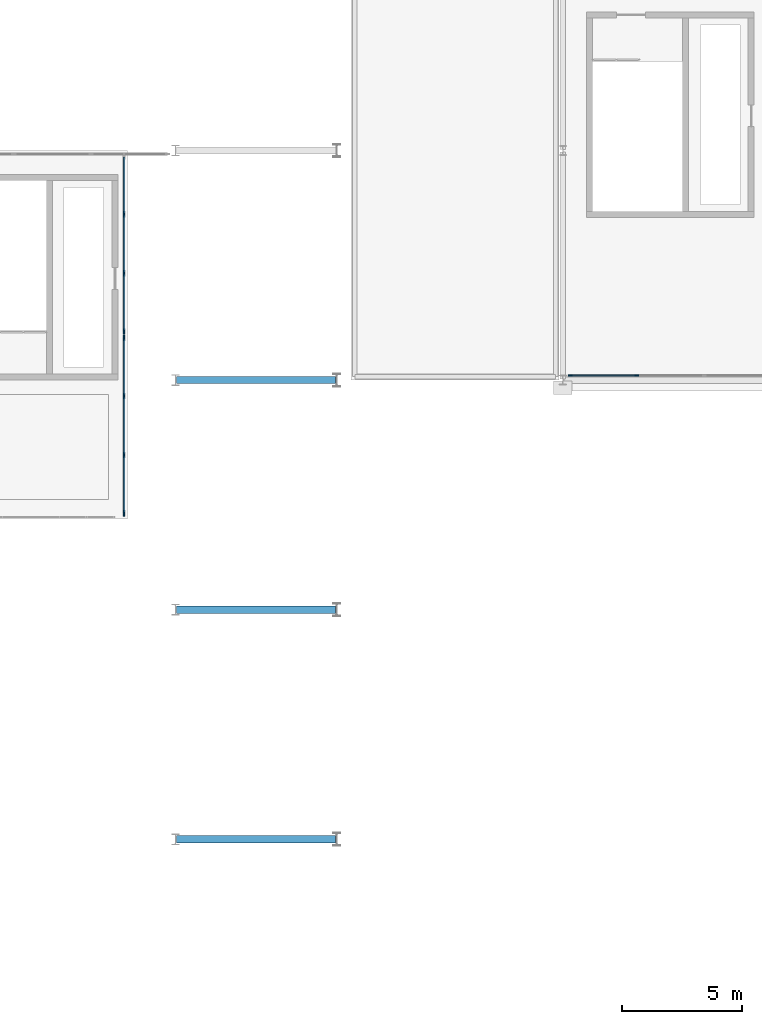
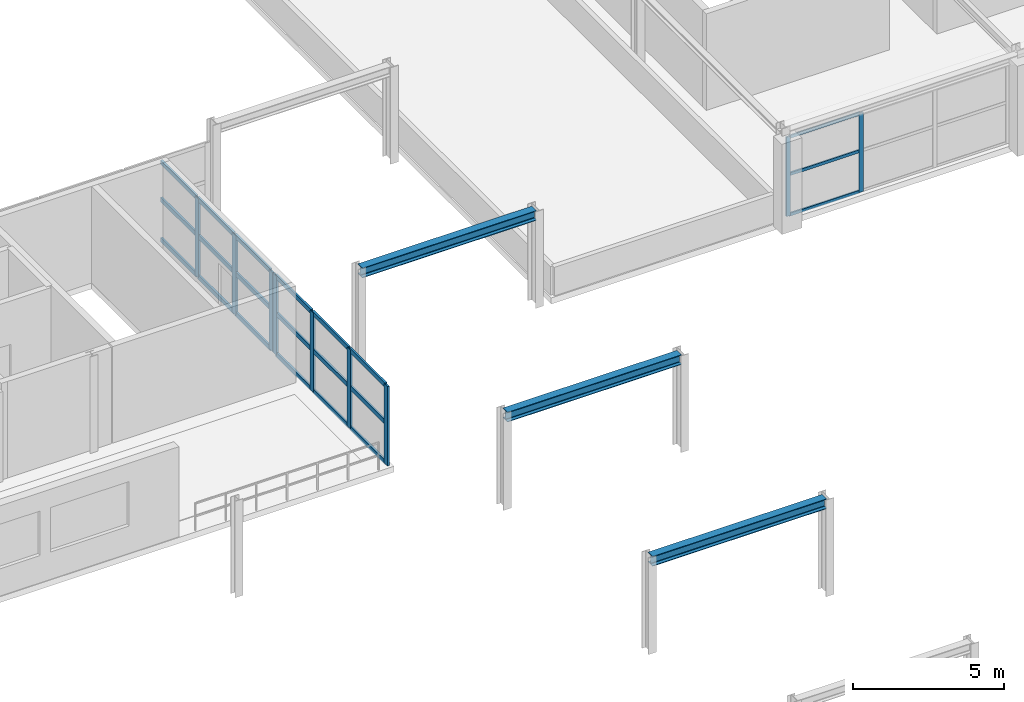
# One storey, part 21 of 52: 30 members, 3 beams, 3 elements without a shape of their own.
"""IFC4 building model written with IfcOpenShell, lengths in metres."""

from ifc_helpers import new_model, si_unit, direction, frame, origin, origin_2d, place, context, subcontext, project, spatial, rectangle, i_section, extrude, material, layer, layer_set, material_profile, profile_set, type_object, element, aggregate, save


model = new_model("IFC4")

# Units and contexts
model_context = context("Model", 3, precision=1e-05, world=origin(), true_north=direction((0.0, 1.0)))
body_context = subcontext(model_context, "Body", "Model", "MODEL_VIEW")
ifc_project = project(units=[si_unit("LENGTHUNIT", "METRE"), si_unit("AREAUNIT", "SQUARE_METRE"), si_unit("VOLUMEUNIT", "CUBIC_METRE"), si_unit("PLANEANGLEUNIT", "RADIAN"), si_unit("MASSUNIT", "GRAM", prefix="KILO")], contexts=[model_context])

# Site, building, storey
site_placement = place(None, origin())
site = spatial("IfcSite", under=ifc_project, at=site_placement, CompositionType="ELEMENT")
building_placement = place(site_placement, origin())
building = spatial("IfcBuilding", under=site, at=building_placement, Name="Myrtia Square Station", CompositionType="ELEMENT")
storey_placement = place(building_placement, frame((0.0, 0.0, 15.0)))
storey = spatial("IfcBuildingStorey", under=building, at=storey_placement, Name="L03", CompositionType="ELEMENT", Elevation=15.0)

# Beams
ifc_material_1 = material(Name="Steel S355", Category="steel")
ifc_material_profile_1 = material_profile(ifc_material_1, i_section(OverallWidth=0.300048828125, OverallDepth=0.39990234375, WebThickness=0.013427734375, FlangeThickness=0.02392578125, FilletRadius=0.027099609375, at=origin_2d()), Name="HEB 400")
ifc_profile_set_1 = profile_set([ifc_material_profile_1], Name="Steel S355")
beam_type = type_object("IfcBeamType", Name="BM-HEB400", PredefinedType="BEAM", material=ifc_profile_set_1)
for number, where, z_axis, x_axis, name in (
    (1, (109.85009765625, 67.199951171875, 3.64990234375), (1.0, 0.0, 0.0), (0.0, 1.0, 0.0), "Colonnade overhang tie beam 016"),
    (2, (109.85009765625, 76.800048828125, 3.64990234375), (1.0, 0.0, 0.0), (0.0, 1.0, 0.0), "Colonnade overhang tie beam 020"),
    (3, (109.85009765625, 86.39990234375, 3.64990234375), (1.0, 0.0, 0.0), (0.0, 1.0, 0.0), "Colonnade overhang tie beam 024"),
):
    element("IfcBeam", number, at=place(storey_placement, frame(where, z_axis=z_axis, x_axis=x_axis)), inside=storey, type_object=beam_type, Name=name, PredefinedType="BEAM", context=body_context, shape_type="SweptSolid", body=[
        extrude(i_section(OverallWidth=0.300048828125, OverallDepth=0.39990234375, WebThickness=0.013427734375, FlangeThickness=0.02392578125, FilletRadius=0.027099609375, at=origin_2d()), origin(), (0.0, 0.0, 1.0), 6.64990234375),
    ])

# Curtain wall, members
ifc_material_2 = material(Name="Dark bronze anodised aluminium", Category="aluminium")
ifc_layer_1 = layer(ifc_material_2, 0.159912109375, Name="Dark bronze anodised aluminium")
ifc_layer_set_1 = layer_set([ifc_layer_1], Name="Dark bronze anodised aluminium")
curtain_wall_type_1 = type_object("IfcCurtainWallType", Name="CW-TYPE-41-845x320", PredefinedType="USERDEFINED", material=ifc_layer_set_1)
curtain_wall_1_placement = place(storey_placement, origin())
curtain_wall_1 = element("IfcCurtainWall", 4, at=curtain_wall_1_placement, inside=storey, type_object=curtain_wall_type_1, Name="Concourse curtain wall CW-L03-120", ObjectType="CONCOURSE CURTAIN WALL", PredefinedType="USERDEFINED")
ifc_material_profile_2 = material_profile(ifc_material_2, rectangle(XDim=0.06005859375, YDim=0.159912109375, at=origin_2d()), Name="ALU-M 60x160")
ifc_profile_set_2 = profile_set([ifc_material_profile_2], Name="Dark bronze anodised aluminium")
member_type_1 = type_object("IfcMemberType", Name="CWM-60x160", PredefinedType="MULLION", material=ifc_profile_set_2)
member_1_placement = place(storey_placement, frame((126.304931640625, 86.60009765625, 0.0), z_axis=(0.0, 0.0, 1.0), x_axis=(0.0, 1.0, 0.0)))
member_1 = element("IfcMember", 5, at=member_1_placement, type_object=member_type_1, Name="CW-120 mullion 1", PredefinedType="MULLION", context=body_context, shape_type="SweptSolid", body=[
    extrude(rectangle(XDim=0.06005859375, YDim=0.159912109375, at=origin_2d()), origin(), (0.0, 0.0, 1.0), 3.199951171875),
])
member_2_placement = place(storey_placement, frame((129.091552734375, 86.60009765625, 0.0), z_axis=(0.0, 0.0, 1.0), x_axis=(0.0, 1.0, 0.0)))
member_2 = element("IfcMember", 6, at=member_2_placement, type_object=member_type_1, Name="CW-120 mullion 2", PredefinedType="MULLION", context=body_context, shape_type="SweptSolid", body=[
    extrude(rectangle(XDim=0.06005859375, YDim=0.159912109375, at=origin_2d()), origin(), (0.0, 0.0, 1.0), 3.199951171875),
])

ifc_layer_2 = layer(ifc_material_2, 0.159912109375, Name="Dark bronze anodised aluminium")
ifc_layer_set_2 = layer_set([ifc_layer_2], Name="Dark bronze anodised aluminium")
curtain_wall_type_2 = type_object("IfcCurtainWallType", Name="CW-TYPE-08-740x320", PredefinedType="USERDEFINED", material=ifc_layer_set_2)
curtain_wall_2_placement = place(storey_placement, origin())
curtain_wall_2 = element("IfcCurtainWall", 7, at=curtain_wall_2_placement, inside=storey, type_object=curtain_wall_type_2, Name="Concourse curtain wall CW-L03-038", ObjectType="CONCOURSE CURTAIN WALL", PredefinedType="USERDEFINED")
ifc_material_profile_3 = material_profile(ifc_material_2, rectangle(XDim=0.074951171875, YDim=0.239990234375, at=origin_2d()), Name="ALU-M 75x240")
ifc_profile_set_3 = profile_set([ifc_material_profile_3], Name="Dark bronze anodised aluminium")
member_type_2 = type_object("IfcMemberType", Name="CWM-75x240", PredefinedType="MULLION", material=ifc_profile_set_3)
member_3_placement = place(storey_placement, frame((107.64990234375, 80.83740234375, 0.0), z_axis=(0.0, 0.0, 1.0), x_axis=(-1.0, 0.0, 0.0)))
member_3 = element("IfcMember", 8, at=member_3_placement, type_object=member_type_2, Name="CW-038 mullion 1", PredefinedType="MULLION", context=body_context, shape_type="SweptSolid", body=[
    extrude(rectangle(XDim=0.074951171875, YDim=0.239990234375, at=origin_2d()), origin(), (0.0, 0.0, 1.0), 3.199951171875),
])
member_4_placement = place(storey_placement, frame((107.64990234375, 83.2666015625, 0.0), z_axis=(0.0, 0.0, 1.0), x_axis=(-1.0, 0.0, 0.0)))
member_4 = element("IfcMember", 9, at=member_4_placement, type_object=member_type_2, Name="CW-038 mullion 2", PredefinedType="MULLION", context=body_context, shape_type="SweptSolid", body=[
    extrude(rectangle(XDim=0.074951171875, YDim=0.239990234375, at=origin_2d()), origin(), (0.0, 0.0, 1.0), 3.199951171875),
])
member_5_placement = place(storey_placement, frame((107.64990234375, 85.7333984375, 0.0), z_axis=(0.0, 0.0, 1.0), x_axis=(-1.0, 0.0, 0.0)))
member_5 = element("IfcMember", 10, at=member_5_placement, type_object=member_type_2, Name="CW-038 mullion 3", PredefinedType="MULLION", context=body_context, shape_type="SweptSolid", body=[
    extrude(rectangle(XDim=0.074951171875, YDim=0.239990234375, at=origin_2d()), origin(), (0.0, 0.0, 1.0), 3.199951171875),
])
member_6_placement = place(storey_placement, frame((107.64990234375, 88.16259765625, 0.0), z_axis=(0.0, 0.0, 1.0), x_axis=(-1.0, 0.0, 0.0)))
member_6 = element("IfcMember", 11, at=member_6_placement, type_object=member_type_2, Name="CW-038 mullion 4", PredefinedType="MULLION", context=body_context, shape_type="SweptSolid", body=[
    extrude(rectangle(XDim=0.074951171875, YDim=0.239990234375, at=origin_2d()), origin(), (0.0, 0.0, 1.0), 3.199951171875),
])

curtain_wall_3_placement = place(storey_placement, origin())
curtain_wall_3 = element("IfcCurtainWall", 12, at=curtain_wall_3_placement, inside=storey, type_object=curtain_wall_type_2, Name="Concourse curtain wall CW-L03-040", ObjectType="CONCOURSE CURTAIN WALL", PredefinedType="USERDEFINED")
member_7_placement = place(storey_placement, frame((107.64990234375, 88.4375, 0.0), z_axis=(0.0, 0.0, 1.0), x_axis=(-1.0, 0.0, 0.0)))
member_7 = element("IfcMember", 13, at=member_7_placement, type_object=member_type_2, Name="CW-040 mullion 1", PredefinedType="MULLION", context=body_context, shape_type="SweptSolid", body=[
    extrude(rectangle(XDim=0.074951171875, YDim=0.239990234375, at=origin_2d()), origin(), (0.0, 0.0, 1.0), 3.199951171875),
])
member_8_placement = place(storey_placement, frame((107.64990234375, 90.86669921875, 0.0), z_axis=(0.0, 0.0, 1.0), x_axis=(-1.0, 0.0, 0.0)))
member_8 = element("IfcMember", 14, at=member_8_placement, type_object=member_type_2, Name="CW-040 mullion 2", PredefinedType="MULLION", context=body_context, shape_type="SweptSolid", body=[
    extrude(rectangle(XDim=0.074951171875, YDim=0.239990234375, at=origin_2d()), origin(), (0.0, 0.0, 1.0), 3.199951171875),
])
member_9_placement = place(storey_placement, frame((107.64990234375, 93.333251953125, 0.0), z_axis=(0.0, 0.0, 1.0), x_axis=(-1.0, 0.0, 0.0)))
member_9 = element("IfcMember", 15, at=member_9_placement, type_object=member_type_2, Name="CW-040 mullion 3", PredefinedType="MULLION", context=body_context, shape_type="SweptSolid", body=[
    extrude(rectangle(XDim=0.074951171875, YDim=0.239990234375, at=origin_2d()), origin(), (0.0, 0.0, 1.0), 3.199951171875),
])

# Member
ifc_material_profile_4 = material_profile(ifc_material_2, rectangle(XDim=0.06005859375, YDim=0.1201171875, at=origin_2d()), Name="ALU-T 60x120")
ifc_profile_set_4 = profile_set([ifc_material_profile_4], Name="Dark bronze anodised aluminium")
member_type_3 = type_object("IfcMemberType", Name="CWT-60x120", PredefinedType="USERDEFINED", material=ifc_profile_set_4)
member_10_placement = place(storey_placement, frame((126.3349609375, 86.60009765625, 0.030029296875), z_axis=(1.0, 0.0, 0.0), x_axis=(0.0, 1.0, 0.0)))
member_10 = element("IfcMember", 16, at=member_10_placement, type_object=member_type_3, Name="CW-120 transom 1.1", ObjectType="TRANSOM", PredefinedType="USERDEFINED", context=body_context, shape_type="SweptSolid", body=[
    extrude(rectangle(XDim=0.06005859375, YDim=0.1201171875, at=origin_2d()), origin(), (0.0, 0.0, 1.0), 2.726806640625),
])

member_11_placement = place(storey_placement, frame((126.3349609375, 86.60009765625, 1.6640625), z_axis=(1.0, 0.0, 0.0), x_axis=(0.0, 1.0, 0.0)))
member_11 = element("IfcMember", 17, at=member_11_placement, type_object=member_type_3, Name="CW-120 transom 1.2", ObjectType="TRANSOM", PredefinedType="USERDEFINED", context=body_context, shape_type="SweptSolid", body=[
    extrude(rectangle(XDim=0.06005859375, YDim=0.1201171875, at=origin_2d()), origin(), (0.0, 0.0, 1.0), 2.726806640625),
])

member_12_placement = place(storey_placement, frame((126.3349609375, 86.60009765625, 3.169921875), z_axis=(1.0, 0.0, 0.0), x_axis=(0.0, 1.0, 0.0)))
member_12 = element("IfcMember", 18, at=member_12_placement, type_object=member_type_3, Name="CW-120 transom 1.3", ObjectType="TRANSOM", PredefinedType="USERDEFINED", context=body_context, shape_type="SweptSolid", body=[
    extrude(rectangle(XDim=0.06005859375, YDim=0.1201171875, at=origin_2d()), origin(), (0.0, 0.0, 1.0), 2.726806640625),
])

aggregate(curtain_wall_1, [member_1, member_2, member_10, member_11, member_12])

ifc_material_profile_5 = material_profile(ifc_material_2, rectangle(XDim=0.074951171875, YDim=0.179931640625, at=origin_2d()), Name="ALU-T 75x180")
ifc_profile_set_5 = profile_set([ifc_material_profile_5], Name="Dark bronze anodised aluminium")
member_type_4 = type_object("IfcMemberType", Name="CWT-75x180", PredefinedType="USERDEFINED", material=ifc_profile_set_5)
member_13_placement = place(storey_placement, frame((107.64990234375, 80.875, 0.03759765625), z_axis=(0.0, 1.0, 0.0), x_axis=(-1.0, 0.0, 0.0)))
member_13 = element("IfcMember", 19, at=member_13_placement, type_object=member_type_4, Name="CW-038 transom 1.1", ObjectType="TRANSOM", PredefinedType="USERDEFINED", context=body_context, shape_type="SweptSolid", body=[
    extrude(rectangle(XDim=0.074951171875, YDim=0.179931640625, at=origin_2d()), origin(), (0.0, 0.0, 1.0), 2.354248046875),
])

member_14_placement = place(storey_placement, frame((107.64990234375, 80.875, 1.6640625), z_axis=(0.0, 1.0, 0.0), x_axis=(-1.0, 0.0, 0.0)))
member_14 = element("IfcMember", 20, at=member_14_placement, type_object=member_type_4, Name="CW-038 transom 1.2", ObjectType="TRANSOM", PredefinedType="USERDEFINED", context=body_context, shape_type="SweptSolid", body=[
    extrude(rectangle(XDim=0.074951171875, YDim=0.179931640625, at=origin_2d()), origin(), (0.0, 0.0, 1.0), 2.354248046875),
])

member_15_placement = place(storey_placement, frame((107.64990234375, 80.875, 3.16259765625), z_axis=(0.0, 1.0, 0.0), x_axis=(-1.0, 0.0, 0.0)))
member_15 = element("IfcMember", 21, at=member_15_placement, type_object=member_type_4, Name="CW-038 transom 1.3", ObjectType="TRANSOM", PredefinedType="USERDEFINED", context=body_context, shape_type="SweptSolid", body=[
    extrude(rectangle(XDim=0.074951171875, YDim=0.179931640625, at=origin_2d()), origin(), (0.0, 0.0, 1.0), 2.354248046875),
])

member_16_placement = place(storey_placement, frame((107.64990234375, 83.30419921875, 0.03759765625), z_axis=(0.0, 1.0, 0.0), x_axis=(-1.0, 0.0, 0.0)))
member_16 = element("IfcMember", 22, at=member_16_placement, type_object=member_type_4, Name="CW-038 transom 2.1", ObjectType="TRANSOM", PredefinedType="USERDEFINED", context=body_context, shape_type="SweptSolid", body=[
    extrude(rectangle(XDim=0.074951171875, YDim=0.179931640625, at=origin_2d()), origin(), (0.0, 0.0, 1.0), 2.3916015625),
])

member_17_placement = place(storey_placement, frame((107.64990234375, 83.30419921875, 1.6640625), z_axis=(0.0, 1.0, 0.0), x_axis=(-1.0, 0.0, 0.0)))
member_17 = element("IfcMember", 23, at=member_17_placement, type_object=member_type_4, Name="CW-038 transom 2.2", ObjectType="TRANSOM", PredefinedType="USERDEFINED", context=body_context, shape_type="SweptSolid", body=[
    extrude(rectangle(XDim=0.074951171875, YDim=0.179931640625, at=origin_2d()), origin(), (0.0, 0.0, 1.0), 2.3916015625),
])

member_18_placement = place(storey_placement, frame((107.64990234375, 83.30419921875, 3.16259765625), z_axis=(0.0, 1.0, 0.0), x_axis=(-1.0, 0.0, 0.0)))
member_18 = element("IfcMember", 24, at=member_18_placement, type_object=member_type_4, Name="CW-038 transom 2.3", ObjectType="TRANSOM", PredefinedType="USERDEFINED", context=body_context, shape_type="SweptSolid", body=[
    extrude(rectangle(XDim=0.074951171875, YDim=0.179931640625, at=origin_2d()), origin(), (0.0, 0.0, 1.0), 2.3916015625),
])

member_19_placement = place(storey_placement, frame((107.64990234375, 85.770751953125, 0.03759765625), z_axis=(0.0, 1.0, 0.0), x_axis=(-1.0, 0.0, 0.0)))
member_19 = element("IfcMember", 25, at=member_19_placement, type_object=member_type_4, Name="CW-038 transom 3.1", ObjectType="TRANSOM", PredefinedType="USERDEFINED", context=body_context, shape_type="SweptSolid", body=[
    extrude(rectangle(XDim=0.074951171875, YDim=0.179931640625, at=origin_2d()), origin(), (0.0, 0.0, 1.0), 2.354248046875),
])

member_20_placement = place(storey_placement, frame((107.64990234375, 85.770751953125, 1.6640625), z_axis=(0.0, 1.0, 0.0), x_axis=(-1.0, 0.0, 0.0)))
member_20 = element("IfcMember", 26, at=member_20_placement, type_object=member_type_4, Name="CW-038 transom 3.2", ObjectType="TRANSOM", PredefinedType="USERDEFINED", context=body_context, shape_type="SweptSolid", body=[
    extrude(rectangle(XDim=0.074951171875, YDim=0.179931640625, at=origin_2d()), origin(), (0.0, 0.0, 1.0), 2.354248046875),
])

member_21_placement = place(storey_placement, frame((107.64990234375, 85.770751953125, 3.16259765625), z_axis=(0.0, 1.0, 0.0), x_axis=(-1.0, 0.0, 0.0)))
member_21 = element("IfcMember", 27, at=member_21_placement, type_object=member_type_4, Name="CW-038 transom 3.3", ObjectType="TRANSOM", PredefinedType="USERDEFINED", context=body_context, shape_type="SweptSolid", body=[
    extrude(rectangle(XDim=0.074951171875, YDim=0.179931640625, at=origin_2d()), origin(), (0.0, 0.0, 1.0), 2.354248046875),
])

aggregate(curtain_wall_2, [member_3, member_4, member_5, member_6, member_13, member_14, member_15, member_16, member_17, member_18, member_19, member_20, member_21])

member_22_placement = place(storey_placement, frame((107.64990234375, 88.47509765625, 0.03759765625), z_axis=(0.0, 1.0, 0.0), x_axis=(-1.0, 0.0, 0.0)))
member_22 = element("IfcMember", 28, at=member_22_placement, type_object=member_type_4, Name="CW-040 transom 1.1", ObjectType="TRANSOM", PredefinedType="USERDEFINED", context=body_context, shape_type="SweptSolid", body=[
    extrude(rectangle(XDim=0.074951171875, YDim=0.179931640625, at=origin_2d()), origin(), (0.0, 0.0, 1.0), 2.35400390625),
])

member_23_placement = place(storey_placement, frame((107.64990234375, 88.47509765625, 1.6640625), z_axis=(0.0, 1.0, 0.0), x_axis=(-1.0, 0.0, 0.0)))
member_23 = element("IfcMember", 29, at=member_23_placement, type_object=member_type_4, Name="CW-040 transom 1.2", ObjectType="TRANSOM", PredefinedType="USERDEFINED", context=body_context, shape_type="SweptSolid", body=[
    extrude(rectangle(XDim=0.074951171875, YDim=0.179931640625, at=origin_2d()), origin(), (0.0, 0.0, 1.0), 2.35400390625),
])

member_24_placement = place(storey_placement, frame((107.64990234375, 88.47509765625, 3.16259765625), z_axis=(0.0, 1.0, 0.0), x_axis=(-1.0, 0.0, 0.0)))
member_24 = element("IfcMember", 30, at=member_24_placement, type_object=member_type_4, Name="CW-040 transom 1.3", ObjectType="TRANSOM", PredefinedType="USERDEFINED", context=body_context, shape_type="SweptSolid", body=[
    extrude(rectangle(XDim=0.074951171875, YDim=0.179931640625, at=origin_2d()), origin(), (0.0, 0.0, 1.0), 2.35400390625),
])

member_25_placement = place(storey_placement, frame((107.64990234375, 90.904052734375, 0.03759765625), z_axis=(0.0, 1.0, 0.0), x_axis=(-1.0, 0.0, 0.0)))
member_25 = element("IfcMember", 31, at=member_25_placement, type_object=member_type_4, Name="CW-040 transom 2.1", ObjectType="TRANSOM", PredefinedType="USERDEFINED", context=body_context, shape_type="SweptSolid", body=[
    extrude(rectangle(XDim=0.074951171875, YDim=0.179931640625, at=origin_2d()), origin(), (0.0, 0.0, 1.0), 2.391845703125),
])

member_26_placement = place(storey_placement, frame((107.64990234375, 90.904052734375, 1.6640625), z_axis=(0.0, 1.0, 0.0), x_axis=(-1.0, 0.0, 0.0)))
member_26 = element("IfcMember", 32, at=member_26_placement, type_object=member_type_4, Name="CW-040 transom 2.2", ObjectType="TRANSOM", PredefinedType="USERDEFINED", context=body_context, shape_type="SweptSolid", body=[
    extrude(rectangle(XDim=0.074951171875, YDim=0.179931640625, at=origin_2d()), origin(), (0.0, 0.0, 1.0), 2.391845703125),
])

member_27_placement = place(storey_placement, frame((107.64990234375, 90.904052734375, 3.16259765625), z_axis=(0.0, 1.0, 0.0), x_axis=(-1.0, 0.0, 0.0)))
member_27 = element("IfcMember", 33, at=member_27_placement, type_object=member_type_4, Name="CW-040 transom 2.3", ObjectType="TRANSOM", PredefinedType="USERDEFINED", context=body_context, shape_type="SweptSolid", body=[
    extrude(rectangle(XDim=0.074951171875, YDim=0.179931640625, at=origin_2d()), origin(), (0.0, 0.0, 1.0), 2.391845703125),
])

member_28_placement = place(storey_placement, frame((107.64990234375, 93.370849609375, 0.03759765625), z_axis=(0.0, 1.0, 0.0), x_axis=(-1.0, 0.0, 0.0)))
member_28 = element("IfcMember", 34, at=member_28_placement, type_object=member_type_4, Name="CW-040 transom 3.1", ObjectType="TRANSOM", PredefinedType="USERDEFINED", context=body_context, shape_type="SweptSolid", body=[
    extrude(rectangle(XDim=0.074951171875, YDim=0.179931640625, at=origin_2d()), origin(), (0.0, 0.0, 1.0), 2.354248046875),
])

member_29_placement = place(storey_placement, frame((107.64990234375, 93.370849609375, 1.6640625), z_axis=(0.0, 1.0, 0.0), x_axis=(-1.0, 0.0, 0.0)))
member_29 = element("IfcMember", 35, at=member_29_placement, type_object=member_type_4, Name="CW-040 transom 3.2", ObjectType="TRANSOM", PredefinedType="USERDEFINED", context=body_context, shape_type="SweptSolid", body=[
    extrude(rectangle(XDim=0.074951171875, YDim=0.179931640625, at=origin_2d()), origin(), (0.0, 0.0, 1.0), 2.354248046875),
])

member_30_placement = place(storey_placement, frame((107.64990234375, 93.370849609375, 3.16259765625), z_axis=(0.0, 1.0, 0.0), x_axis=(-1.0, 0.0, 0.0)))
member_30 = element("IfcMember", 36, at=member_30_placement, type_object=member_type_4, Name="CW-040 transom 3.3", ObjectType="TRANSOM", PredefinedType="USERDEFINED", context=body_context, shape_type="SweptSolid", body=[
    extrude(rectangle(XDim=0.074951171875, YDim=0.179931640625, at=origin_2d()), origin(), (0.0, 0.0, 1.0), 2.354248046875),
])

aggregate(curtain_wall_3, [member_7, member_8, member_9, member_22, member_23, member_24, member_25, member_26, member_27, member_28, member_29, member_30])

save(model, "model.ifc")
